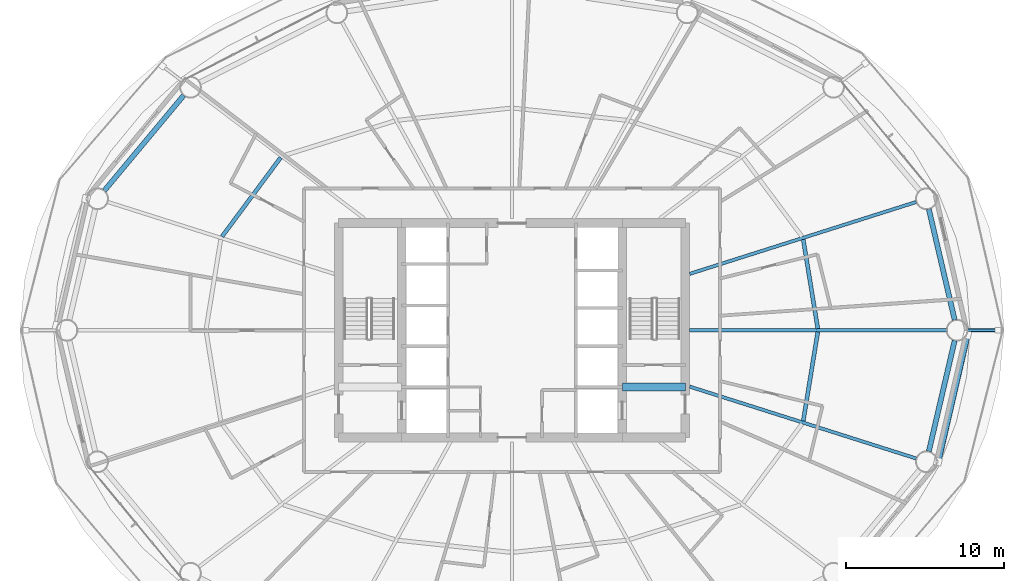
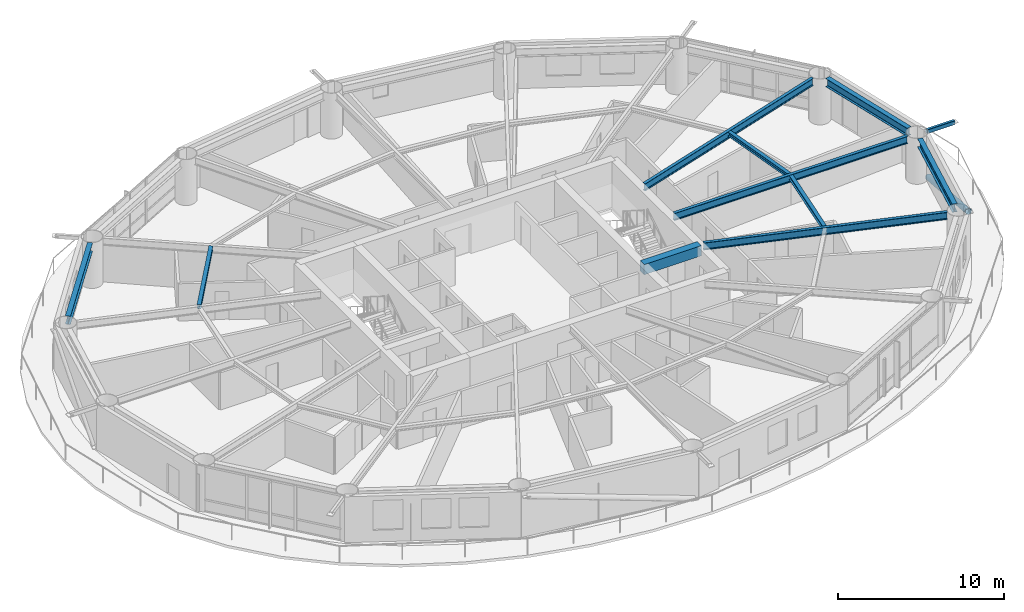
# One storey, part 7 of 24: 10 beams, 2 members.
"""IFC4 building model written with IfcOpenShell, lengths in metres."""

from ifc_helpers import new_model, si_unit, direction, frame, origin, origin_2d, place, context, subcontext, project, spatial, rectangle, hollow_rectangle, hollow_circle, i_section, extrude, material, material_profile, profile_set, type_object, element, save


model = new_model("IFC4")

# Units and contexts
model_context = context("Model", 3, precision=1e-05, world=origin(), true_north=direction((0.0, 1.0)))
body_context = subcontext(model_context, "Body", "Model", "MODEL_VIEW")
ifc_project = project(units=[si_unit("LENGTHUNIT", "METRE"), si_unit("AREAUNIT", "SQUARE_METRE"), si_unit("VOLUMEUNIT", "CUBIC_METRE"), si_unit("PLANEANGLEUNIT", "RADIAN"), si_unit("MASSUNIT", "GRAM", prefix="KILO")], contexts=[model_context])

# Site, building, storey
site_placement = place(None, origin())
site = spatial("IfcSite", under=ifc_project, at=site_placement, CompositionType="ELEMENT")
building_placement = place(site_placement, origin())
building = spatial("IfcBuilding", under=site, at=building_placement, Name="Sarneth Arch Tower", CompositionType="ELEMENT")
storey_placement = place(building_placement, frame((0.0, 0.0, 87.60009765625)))
storey = spatial("IfcBuildingStorey", under=building, at=storey_placement, Name="L21", CompositionType="ELEMENT", Elevation=87.60009765625)

# Beams
ifc_material_1 = material(Name="Steel S355", Category="steel")
ifc_material_profile_1 = material_profile(ifc_material_1, i_section(OverallWidth=0.25390625, OverallDepth=0.305908203125, WebThickness=0.0087890625, FlangeThickness=0.0146484375, FilletRadius=0.014892578125, at=origin_2d()), Name="W310x79")
ifc_profile_set_1 = profile_set([ifc_material_profile_1], Name="Steel S355")
beam_type_1 = type_object("IfcBeamType", Name="BM-JOIST-310A", PredefinedType="JOIST", material=ifc_profile_set_1)
beam_1_placement = place(storey_placement, frame((67.4013671875, 42.10400390625, 3.226806640625), z_axis=(-0.16120310833, 0.986921252109, 0.0), x_axis=(-0.986921252109, -0.16120310833, 0.0)))
element("IfcBeam", 1, at=beam_1_placement, inside=storey, type_object=beam_type_1, Name="L21 Secondary floor joist 01", PredefinedType="JOIST", context=body_context, shape_type="SweptSolid", body=[
    extrude(i_section(OverallWidth=0.25390625, OverallDepth=0.305908203125, WebThickness=0.0087890625, FlangeThickness=0.0146484375, FilletRadius=0.014892578125, at=origin_2d()), origin(), (0.0, 0.0, 1.0), 5.724853515625),
])
beam_2_placement = place(storey_placement, frame((33.32666015625, 52.956787109375, 3.226806640625), z_axis=(-0.596354224217, -0.80272139579, 0.0), x_axis=(0.80272139579, -0.596354224217, 0.0)))
element("IfcBeam", 2, at=beam_2_placement, inside=storey, type_object=beam_type_1, Name="L21 Secondary floor joist 07", PredefinedType="JOIST", context=body_context, shape_type="SweptSolid", body=[
    extrude(i_section(OverallWidth=0.25390625, OverallDepth=0.305908203125, WebThickness=0.0087890625, FlangeThickness=0.0146484375, FilletRadius=0.014892578125, at=origin_2d()), origin(), (0.0, 0.0, 1.0), 6.246337890625),
])
beam_3_placement = place(storey_placement, frame((66.478515625, 36.24609375, 3.226806640625), z_axis=(0.16120310833, 0.986921252109, 0.0), x_axis=(-0.986921252109, 0.16120310833, 0.0)))
element("IfcBeam", 3, at=beam_3_placement, inside=storey, type_object=beam_type_1, Name="L21 Secondary floor joist 16", PredefinedType="JOIST", context=body_context, shape_type="SweptSolid", body=[
    extrude(i_section(OverallWidth=0.25390625, OverallDepth=0.305908203125, WebThickness=0.0087890625, FlangeThickness=0.0146484375, FilletRadius=0.014892578125, at=origin_2d()), origin(), (0.0, 0.0, 1.0), 5.724853515625),
])
ifc_material_2 = material(Name="Concrete C50/60", Category="concrete")
ifc_material_profile_2 = material_profile(ifc_material_2, rectangle(XDim=0.5, YDim=0.75, at=origin_2d()), Name="RC-500x750")
ifc_profile_set_2 = profile_set([ifc_material_profile_2], Name="Concrete C50/60")
beam_type_2 = type_object("IfcBeamType", Name="BM-LINTEL-RC", PredefinedType="LINTEL", material=ifc_profile_set_2)
beam_4_placement = place(storey_placement, frame((55.0, 38.39990234375, 3.0048828125), z_axis=(1.0, 0.0, 0.0), x_axis=(0.0, 1.0, 0.0)))
element("IfcBeam", 4, at=beam_4_placement, inside=storey, type_object=beam_type_2, Name="L21 Core coupling lintel E", PredefinedType="LINTEL", context=body_context, shape_type="SweptSolid", body=[
    extrude(rectangle(XDim=0.5, YDim=0.75, at=origin_2d()), origin(), (0.0, 0.0, 1.0), 4.0),
])
ifc_material_3 = material(Name="Steel S355", Category="steel")
ifc_material_profile_3 = material_profile(ifc_material_3, i_section(OverallWidth=0.2109375, OverallDepth=0.5390625, WebThickness=0.01171875, FlangeThickness=0.018798828125, FilletRadius=0.01806640625, at=origin_2d()), Name="W530x109")
ifc_profile_set_3 = profile_set([ifc_material_profile_3], Name="Steel S355")
beam_type_3 = type_object("IfcBeamType", Name="BM-RAD-530B", PredefinedType="BEAM", material=ifc_profile_set_3)
beam_5_placement = place(storey_placement, frame((59.27490234375, 42.0, 3.1103515625), z_axis=(1.0, 0.0, 0.0), x_axis=(0.0, 1.0, 0.0)))
element("IfcBeam", 5, at=beam_5_placement, inside=storey, type_object=beam_type_3, Name="L21 Radial floor girder 01", PredefinedType="BEAM", context=body_context, shape_type="SweptSolid", body=[
    extrude(i_section(OverallWidth=0.2109375, OverallDepth=0.5390625, WebThickness=0.01171875, FlangeThickness=0.018798828125, FilletRadius=0.01806640625, at=origin_2d()), origin(), (0.0, 0.0, 1.0), 16.28662109375),
])
for number, where, z_axis, x_axis, name in (
    (6, (59.27490234375, 45.57763671875, 3.1103515625), (0.95316257761, 0.302458427958, 0.0), (-0.302458427958, 0.95316257761, 0.0), "L21 Radial floor girder 02"),
    (7, (59.27490234375, 38.42236328125, 3.1103515625), (0.95316257761, -0.302458427958, 0.0), (0.302458427958, 0.95316257761, 0.0), "L21 Radial floor girder 16"),
):
    element("IfcBeam", number, at=place(storey_placement, frame(where, z_axis=z_axis, x_axis=x_axis)), inside=storey, type_object=beam_type_3, Name=name, PredefinedType="BEAM", context=body_context, shape_type="SweptSolid", body=[
        extrude(i_section(OverallWidth=0.2109375, OverallDepth=0.5390625, WebThickness=0.01171875, FlangeThickness=0.018798828125, FilletRadius=0.01806640625, at=origin_2d()), origin(), (0.0, 0.0, 1.0), 15.0791015625),
    ])
ifc_material_4 = material(Name="Steel S355", Category="steel")
ifc_material_profile_4 = material_profile(ifc_material_4, i_section(OverallWidth=0.323974609375, OverallDepth=0.611083984375, WebThickness=0.0126953125, FlangeThickness=0.01904296875, FilletRadius=0.01904296875, at=origin_2d()), Name="W610x155")
ifc_profile_set_4 = profile_set([ifc_material_profile_4], Name="Steel S355")
beam_type_4 = type_object("IfcBeamType", Name="BM-SPAN-610B", PredefinedType="SPANDREL", material=ifc_profile_set_4)
beam_6_placement = place(storey_placement, frame((76.083251953125, 42.657470703125, 3.074462890625), z_axis=(-0.22708522689, 0.973874889156, 0.0), x_axis=(-0.973874889156, -0.22708522689, 0.0)))
element("IfcBeam", 8, at=beam_6_placement, inside=storey, type_object=beam_type_4, Name="L21 Perimeter spandrel beam 01", PredefinedType="SPANDREL", context=body_context, shape_type="SweptSolid", body=[
    extrude(i_section(OverallWidth=0.323974609375, OverallDepth=0.611083984375, WebThickness=0.0126953125, FlangeThickness=0.01904296875, FilletRadius=0.01904296875, at=origin_2d()), origin(), (0.0, 0.0, 1.0), 7.216064453125),
])
beam_7_placement = place(storey_placement, frame((27.170166015625, 56.896484375, 3.074462890625), z_axis=(-0.640169116175, -0.768234015581, 0.0), x_axis=(0.768234015581, -0.640169116175, 0.0)))
element("IfcBeam", 9, at=beam_7_placement, inside=storey, type_object=beam_type_4, Name="L21 Perimeter spandrel beam 07", PredefinedType="SPANDREL", context=body_context, shape_type="SweptSolid", body=[
    extrude(i_section(OverallWidth=0.323974609375, OverallDepth=0.611083984375, WebThickness=0.0126953125, FlangeThickness=0.01904296875, FilletRadius=0.01904296875, at=origin_2d()), origin(), (0.0, 0.0, 1.0), 7.856201171875),
])
beam_8_placement = place(storey_placement, frame((74.444580078125, 34.31494140625, 3.074462890625), z_axis=(0.22708522689, 0.973874889156, 0.0), x_axis=(-0.973874889156, 0.22708522689, 0.0)))
element("IfcBeam", 10, at=beam_8_placement, inside=storey, type_object=beam_type_4, Name="L21 Perimeter spandrel beam 16", PredefinedType="SPANDREL", context=body_context, shape_type="SweptSolid", body=[
    extrude(i_section(OverallWidth=0.323974609375, OverallDepth=0.611083984375, WebThickness=0.0126953125, FlangeThickness=0.01904296875, FilletRadius=0.01904296875, at=origin_2d()), origin(), (0.0, 0.0, 1.0), 7.216064453125),
])

# Members
ifc_material_5 = material(Name="Steel S355", Category="steel")
ifc_material_profile_5 = material_profile(ifc_material_5, hollow_rectangle(XDim=0.199951171875, YDim=0.300048828125, WallThickness=0.012451171875, InnerFilletRadius=0.018798828125, OuterFilletRadius=0.03125, at=origin_2d()), Name="RHS300x200x12.5")
ifc_profile_set_5 = profile_set([ifc_material_profile_5], Name="Steel S355")
member_type_1 = type_object("IfcMemberType", Name="MEM-CANT-STRUT", PredefinedType="STRUT", material=ifc_profile_set_5)
member_1_placement = place(storey_placement, frame((76.91162109375, 42.0, 3.219970703125), z_axis=(1.0, 0.0, 0.0), x_axis=(0.0, 1.0, 0.0)))
element("IfcMember", 11, at=member_1_placement, inside=storey, type_object=member_type_1, Name="L21 Balcony cantilever bracket 01", PredefinedType="STRUT", context=body_context, shape_type="SweptSolid", body=[
    extrude(hollow_rectangle(XDim=0.199951171875, YDim=0.300048828125, WallThickness=0.012451171875, InnerFilletRadius=0.018798828125, OuterFilletRadius=0.03125, at=origin_2d()), origin(), (0.0, 0.0, 1.0), 1.927978515625),
])
ifc_material_6 = material(Name="Steel S355", Category="steel")
ifc_material_profile_6 = material_profile(ifc_material_6, hollow_circle(Radius=0.202880859375, WallThickness=0.01611328125, at=origin_2d()), Name="CHS406x16")
ifc_profile_set_6 = profile_set([ifc_material_profile_6], Name="Steel S355")
member_type_2 = type_object("IfcMemberType", Name="MEM-DIAG-BR2", PredefinedType="BRACE", material=ifc_profile_set_6)
member_2_placement = place(storey_placement, frame((76.878662109375, 41.707763671875, 0.02001953125), z_axis=(-0.211847747194, -0.915855506945, 0.341070700013), x_axis=(0.974275349464, -0.225360918143, 0.0)))
element("IfcMember", 12, at=member_2_placement, inside=storey, type_object=member_type_2, Name="L21 Perimeter frame diagonal 16", PredefinedType="BRACE", context=body_context, shape_type="SweptSolid", body=[
    extrude(hollow_circle(Radius=0.202880859375, WallThickness=0.01611328125, at=origin_2d()), origin(), (0.0, 0.0, 1.0), 8.77587890625),
])

save(model, "model.ifc")
